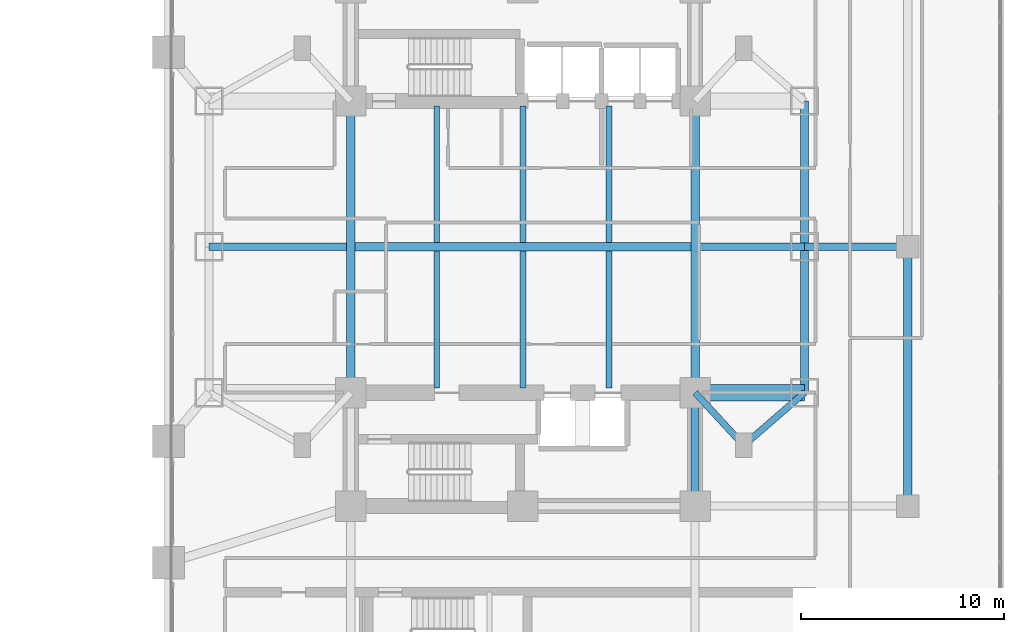
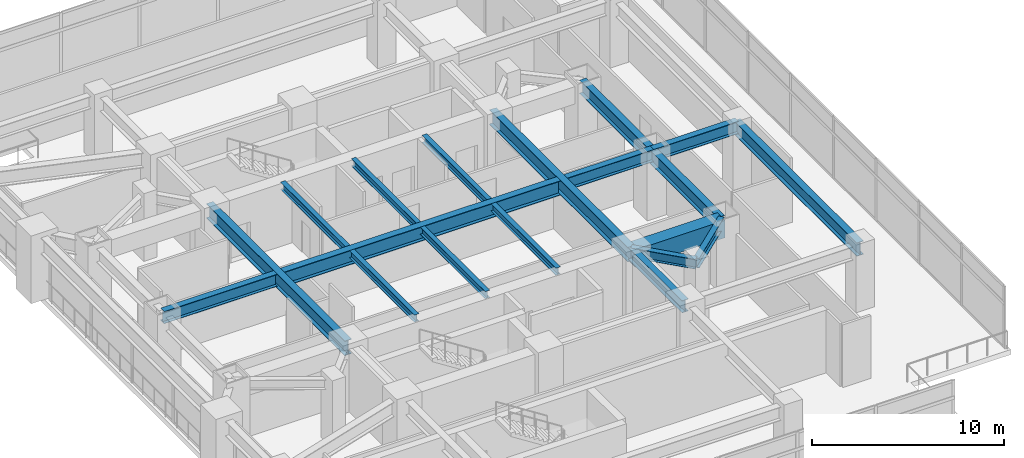
# One storey, part 10 of 31: 19 beams.
"""IFC4 building model written with IfcOpenShell, lengths in metres."""

from ifc_helpers import new_model, si_unit, direction, frame, origin, origin_2d, place, context, subcontext, project, spatial, rectangle, i_section, extrude, material, material_profile, profile_set, type_object, element, save


model = new_model("IFC4")

# Units and contexts
model_context = context("Model", 3, precision=1e-05, world=origin(), true_north=direction((0.0, 1.0)))
body_context = subcontext(model_context, "Body", "Model", "MODEL_VIEW")
ifc_project = project(units=[si_unit("LENGTHUNIT", "METRE"), si_unit("AREAUNIT", "SQUARE_METRE"), si_unit("VOLUMEUNIT", "CUBIC_METRE"), si_unit("PLANEANGLEUNIT", "RADIAN"), si_unit("MASSUNIT", "GRAM", prefix="KILO")], contexts=[model_context])

# Site, building, storey
site_placement = place(None, origin())
site = spatial("IfcSite", under=ifc_project, at=site_placement, CompositionType="ELEMENT")
building_placement = place(site_placement, origin())
building = spatial("IfcBuilding", under=site, at=building_placement, Name="Mirazonda Arch Towers", CompositionType="ELEMENT")
storey_placement = place(building_placement, frame((0.0, 0.0, 5.199951171875)))
storey = spatial("IfcBuildingStorey", under=building, at=storey_placement, Name="L01", CompositionType="ELEMENT", Elevation=5.199951171875)

# Beams
ifc_material_1 = material(Name="Steel ASTM A992 Grade 50", Category="steel")
ifc_material_profile_1 = material_profile(ifc_material_1, i_section(OverallWidth=0.39990234375, OverallDepth=0.85595703125, WebThickness=0.018310546875, FlangeThickness=0.029296875, at=origin_2d()), Name="W33X201")
ifc_profile_set_1 = profile_set([ifc_material_profile_1], Name="Steel ASTM A992 Grade 50")
beam_type_1 = type_object("IfcBeamType", Name="BM-EXT-W33X201", PredefinedType="USERDEFINED", material=ifc_profile_set_1)
for number, where, z_axis, x_axis, name in (
    (1, (90.39990234375, 20.800048828125, 3.552001953125), (0.0, 1.0, 0.0), (-1.0, 0.0, 0.0), "L01 Floor Beam BM-T2-L01-NS-E-20"),
    (2, (90.39990234375, 28.0, 3.552001953125), (0.0, 1.0, 0.0), (-1.0, 0.0, 0.0), "L01 Floor Beam BM-T2-L01-NS-E-28"),
):
    element("IfcBeam", number, at=place(storey_placement, frame(where, z_axis=z_axis, x_axis=x_axis)), inside=storey, type_object=beam_type_1, Name=name, ObjectType="GIRDER", PredefinedType="USERDEFINED", context=body_context, shape_type="SweptSolid", body=[
        extrude(i_section(OverallWidth=0.39990234375, OverallDepth=0.85595703125, WebThickness=0.018310546875, FlangeThickness=0.029296875, at=origin_2d()), origin(), (0.0, 0.0, 1.0), 7.199951171875),
    ])
beam_1_placement = place(storey_placement, frame((95.5, 15.199951171875, 3.552001953125), z_axis=(0.0, 1.0, 0.0), x_axis=(-1.0, 0.0, 0.0)))
element("IfcBeam", 3, at=beam_1_placement, inside=storey, type_object=beam_type_1, Name="L01 Floor Beam BM-POD-L01-PE-1", ObjectType="GIRDER", PredefinedType="USERDEFINED", context=body_context, shape_type="SweptSolid", body=[
    extrude(i_section(OverallWidth=0.39990234375, OverallDepth=0.85595703125, WebThickness=0.018310546875, FlangeThickness=0.029296875, at=origin_2d()), origin(), (0.0, 0.0, 1.0), 12.800048828125),
])
ifc_material_profile_2 = material_profile(ifc_material_1, i_section(OverallWidth=0.280029296875, OverallDepth=0.462890625, WebThickness=0.0107421875, FlangeThickness=0.017333984375, at=origin_2d()), Name="W18X76")
ifc_profile_set_2 = profile_set([ifc_material_profile_2], Name="Steel ASTM A992 Grade 50")
beam_type_2 = type_object("IfcBeamType", Name="BM-INT-W18X76", PredefinedType="JOIST", material=ifc_profile_set_2)
for number, where, z_axis, x_axis, name in (
    (4, (72.25, 21.0400390625, 3.74853515625), (0.0, 1.0, 0.0), (-1.0, 0.0, 0.0), "L01 Floor Beam BM-T2-L01-J-722-20"),
    (5, (72.25, 28.205078125, 3.74853515625), (0.0, 1.0, 0.0), (-1.0, 0.0, 0.0), "L01 Floor Beam BM-T2-L01-J-722-28"),
    (6, (76.5, 21.0400390625, 3.74853515625), (0.0, 1.0, 0.0), (-1.0, 0.0, 0.0), "L01 Floor Beam BM-T2-L01-J-765-20"),
    (7, (76.5, 28.205078125, 3.74853515625), (0.0, 1.0, 0.0), (-1.0, 0.0, 0.0), "L01 Floor Beam BM-T2-L01-J-765-28"),
    (8, (80.75, 21.0400390625, 3.74853515625), (0.0, 1.0, 0.0), (-1.0, 0.0, 0.0), "L01 Floor Beam BM-T2-L01-J-807-20"),
    (9, (80.75, 28.205078125, 3.74853515625), (0.0, 1.0, 0.0), (-1.0, 0.0, 0.0), "L01 Floor Beam BM-T2-L01-J-807-28"),
):
    element("IfcBeam", number, at=place(storey_placement, frame(where, z_axis=z_axis, x_axis=x_axis)), inside=storey, type_object=beam_type_2, Name=name, PredefinedType="JOIST", context=body_context, shape_type="SweptSolid", body=[
        extrude(i_section(OverallWidth=0.280029296875, OverallDepth=0.462890625, WebThickness=0.0107421875, FlangeThickness=0.017333984375, at=origin_2d()), origin(), (0.0, 0.0, 1.0), 6.7548828125),
    ])
ifc_material_profile_3 = material_profile(ifc_material_1, i_section(OverallWidth=0.324951171875, OverallDepth=0.615966796875, WebThickness=0.013916015625, FlangeThickness=0.021484375, at=origin_2d()), Name="W24X117")
ifc_profile_set_3 = profile_set([ifc_material_profile_3], Name="Steel ASTM A992 Grade 50")
beam_type_3 = type_object("IfcBeamType", Name="BM-INT-W24X117", PredefinedType="BEAM", material=ifc_profile_set_3)
beam_2_placement = place(storey_placement, frame((87.39990234375, 18.199951171875, 3.672119140625), z_axis=(-0.678251444854, 0.734829897019, 0.0), x_axis=(-0.734829897019, -0.678251444854, 0.0)))
element("IfcBeam", 10, at=beam_2_placement, inside=storey, type_object=beam_type_3, Name="L01 Floor Beam BM-T2-L01-PL-SE1", PredefinedType="BEAM", context=body_context, shape_type="SweptSolid", body=[
    extrude(i_section(OverallWidth=0.324951171875, OverallDepth=0.615966796875, WebThickness=0.013916015625, FlangeThickness=0.021484375, at=origin_2d()), origin(), (0.0, 0.0, 1.0), 3.538330078125),
])
beam_3_placement = place(storey_placement, frame((87.39990234375, 18.199951171875, 3.672119140625), z_axis=(0.755676908098, 0.654944585876, 0.0), x_axis=(-0.654944585876, 0.755676908098, 0.0)))
element("IfcBeam", 11, at=beam_3_placement, inside=storey, type_object=beam_type_3, Name="L01 Floor Beam BM-T2-L01-PL-SE2", PredefinedType="BEAM", context=body_context, shape_type="SweptSolid", body=[
    extrude(i_section(OverallWidth=0.324951171875, OverallDepth=0.615966796875, WebThickness=0.013916015625, FlangeThickness=0.021484375, at=origin_2d()), origin(), (0.0, 0.0, 1.0), 3.969970703125),
])
ifc_material_profile_4 = material_profile(ifc_material_1, i_section(OverallWidth=0.381103515625, OverallDepth=0.77294921875, WebThickness=0.0166015625, FlangeThickness=0.027099609375, at=origin_2d()), Name="W30X173")
ifc_profile_set_4 = profile_set([ifc_material_profile_4], Name="Steel ASTM A992 Grade 50")
beam_type_4 = type_object("IfcBeamType", Name="BM-INT-W30X173", PredefinedType="USERDEFINED", material=ifc_profile_set_4)
beam_4_placement = place(storey_placement, frame((85.0, 15.199951171875, 3.593505859375), z_axis=(0.0, 1.0, 0.0), x_axis=(-1.0, 0.0, 0.0)))
element("IfcBeam", 12, at=beam_4_placement, inside=storey, type_object=beam_type_4, Name="L01 Floor Beam BM-T2-L01-CSE", ObjectType="GIRDER", PredefinedType="USERDEFINED", context=body_context, shape_type="SweptSolid", body=[
    extrude(i_section(OverallWidth=0.381103515625, OverallDepth=0.77294921875, WebThickness=0.0166015625, FlangeThickness=0.027099609375, at=origin_2d()), origin(), (0.0, 0.0, 1.0), 5.60009765625),
])
beam_5_placement = place(storey_placement, frame((61.0, 28.0, 3.593505859375), z_axis=(1.0, 0.0, 0.0), x_axis=(0.0, 1.0, 0.0)))
element("IfcBeam", 13, at=beam_5_placement, inside=storey, type_object=beam_type_4, Name="L01 Floor Beam BM-T2-L01-GW2", ObjectType="GIRDER", PredefinedType="USERDEFINED", context=body_context, shape_type="SweptSolid", body=[
    extrude(i_section(OverallWidth=0.381103515625, OverallDepth=0.77294921875, WebThickness=0.0166015625, FlangeThickness=0.027099609375, at=origin_2d()), origin(), (0.0, 0.0, 1.0), 6.791015625),
])
beam_6_placement = place(storey_placement, frame((85.208984375, 28.0, 3.593505859375), z_axis=(1.0, 0.0, 0.0), x_axis=(0.0, 1.0, 0.0)))
element("IfcBeam", 14, at=beam_6_placement, inside=storey, type_object=beam_type_4, Name="L01 Floor Beam BM-T2-L01-GE2", ObjectType="GIRDER", PredefinedType="USERDEFINED", context=body_context, shape_type="SweptSolid", body=[
    extrude(i_section(OverallWidth=0.381103515625, OverallDepth=0.77294921875, WebThickness=0.0166015625, FlangeThickness=0.027099609375, at=origin_2d()), origin(), (0.0, 0.0, 1.0), 5.19091796875),
])
beam_7_placement = place(storey_placement, frame((90.39990234375, 28.0, 3.593505859375), z_axis=(1.0, 0.0, 0.0), x_axis=(0.0, 1.0, 0.0)))
element("IfcBeam", 15, at=beam_7_placement, inside=storey, type_object=beam_type_4, Name="L01 Floor Beam BM-POD-L01-PCE-2", ObjectType="GIRDER", PredefinedType="USERDEFINED", context=body_context, shape_type="SweptSolid", body=[
    extrude(i_section(OverallWidth=0.381103515625, OverallDepth=0.77294921875, WebThickness=0.0166015625, FlangeThickness=0.027099609375, at=origin_2d()), origin(), (0.0, 0.0, 1.0), 5.10009765625),
])
ifc_material_profile_5 = material_profile(ifc_material_1, i_section(OverallWidth=0.41796875, OverallDepth=0.927001953125, WebThickness=0.019287109375, FlangeThickness=0.031982421875, at=origin_2d()), Name="W36X231")
ifc_profile_set_5 = profile_set([ifc_material_profile_5], Name="Steel ASTM A992 Grade 50")
beam_type_5 = type_object("IfcBeamType", Name="BM-INT-W36X231", PredefinedType="USERDEFINED", material=ifc_profile_set_5)
beam_8_placement = place(storey_placement, frame((68.208984375, 28.0, 3.5166015625), z_axis=(1.0, 0.0, 0.0), x_axis=(0.0, 1.0, 0.0)))
element("IfcBeam", 16, at=beam_8_placement, inside=storey, type_object=beam_type_5, Name="L01 Floor Beam BM-T2-L01-GC2", ObjectType="GIRDER", PredefinedType="USERDEFINED", context=body_context, shape_type="SweptSolid", body=[
    extrude(i_section(OverallWidth=0.41796875, OverallDepth=0.927001953125, WebThickness=0.019287109375, FlangeThickness=0.031982421875, at=origin_2d()), origin(), (0.0, 0.0, 1.0), 16.58203125),
])
for number, where, z_axis, x_axis, name in (
    (17, (68.0, 20.800048828125, 3.5166015625), (0.0, 1.0, 0.0), (-1.0, 0.0, 0.0), "L01 Floor Beam BM-T2-L01-NS-CW-FULL"),
    (18, (85.0, 20.800048828125, 3.5166015625), (0.0, 1.0, 0.0), (-1.0, 0.0, 0.0), "L01 Floor Beam BM-T2-L01-NS-CE-FULL"),
):
    element("IfcBeam", number, at=place(storey_placement, frame(where, z_axis=z_axis, x_axis=x_axis)), inside=storey, type_object=beam_type_5, Name=name, ObjectType="GIRDER", PredefinedType="USERDEFINED", context=body_context, shape_type="SweptSolid", body=[
        extrude(i_section(OverallWidth=0.41796875, OverallDepth=0.927001953125, WebThickness=0.019287109375, FlangeThickness=0.031982421875, at=origin_2d()), origin(), (0.0, 0.0, 1.0), 14.39990234375),
    ])
ifc_material_2 = material(Name="Concrete C60/75", Category="concrete")
ifc_material_profile_6 = material_profile(ifc_material_2, rectangle(XDim=0.800048828125, YDim=1.10009765625, at=origin_2d()), Name="RCCB800x1100")
ifc_profile_set_6 = profile_set([ifc_material_profile_6], Name="Concrete C60/75")
beam_type_6 = type_object("IfcBeamType", Name="CB-INT-RCCB800x1100", PredefinedType="SPANDREL", material=ifc_profile_set_6)
beam_9_placement = place(storey_placement, frame((85.0, 20.800048828125, 3.429931640625), z_axis=(1.0, 0.0, 0.0), x_axis=(0.0, 1.0, 0.0)))
element("IfcBeam", 19, at=beam_9_placement, inside=storey, type_object=beam_type_6, Name="L01 Floor Beam CB-T2-L01-SE", PredefinedType="SPANDREL", context=body_context, shape_type="SweptSolid", body=[
    extrude(rectangle(XDim=0.800048828125, YDim=1.10009765625, at=origin_2d()), origin(), (0.0, 0.0, 1.0), 5.39990234375),
])

save(model, "model.ifc")
